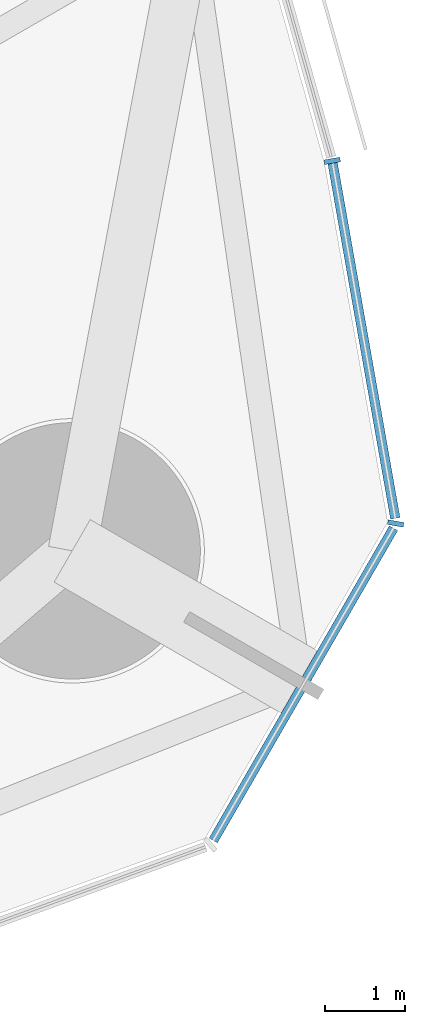
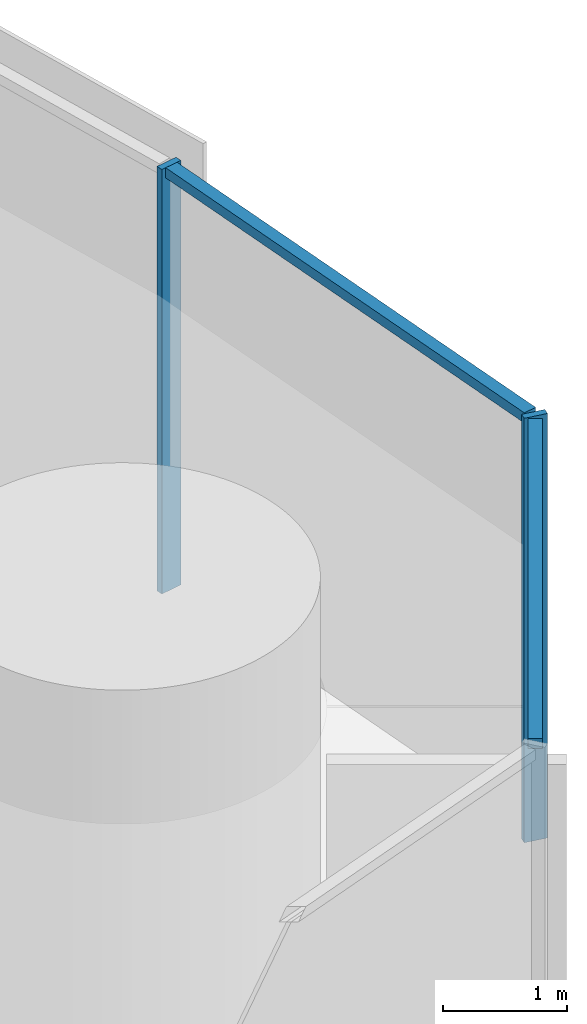
# One storey, part 9 of 19: 4 members, 1 element without a shape of its own.
"""IFC4 building model written with IfcOpenShell, lengths in metres."""

import ifcopenshell
import ifcopenshell.guid

model = None  # the IFC model being written
_history = None  # IfcOwnerHistory: only IFC2X3 demands one
_inside = {}  # id of a spatial element -> (the spatial element, [elements in it])
_under = {}  # id of a project, library or spatial element -> (it, [spatial elements below it])
_declared = {}  # id of a project -> (the project, [libraries it declares])
_typed = {}  # id of a type object -> (the type object, [elements of that type])
_made_of = {}  # id of a material, layer set ... -> (it, [elements and type objects made of it])


def new_model(schema):
    """Start an empty IFC model of exactly this schema.

    Asked for "IFC4X3", IfcOpenShell would pick the latest addendum, in which some entities
    have other attributes; the version numbers below select the first issue.
    IFC2X3 requires an IfcOwnerHistory on every rooted entity: one is made here for all.
    """
    global model, _history
    if schema == "IFC4X3":
        model = ifcopenshell.file(schema_version=(4, 3, 0, 0))
    else:
        model = ifcopenshell.file(schema=schema)
    _inside.clear()
    _under.clear()
    _declared.clear()
    _typed.clear()
    _made_of.clear()
    _history = None
    if model.schema == "IFC2X3":
        org = make("IfcOrganization", Name="unknown")
        user = make(
            "IfcPersonAndOrganization",
            ThePerson=make("IfcPerson", FamilyName="unknown"),
            TheOrganization=org,
        )
        app = make(
            "IfcApplication",
            ApplicationDeveloper=org,
            Version="unknown",
            ApplicationFullName="unknown",
            ApplicationIdentifier="unknown",
        )
        _history = make(
            "IfcOwnerHistory",
            OwningUser=user,
            OwningApplication=app,
            ChangeAction="ADDED",
            CreationDate=0,
        )
    return model


def make(cls, **values):
    """One entity of the class cls with the attributes given. An attribute that is None is left unset."""
    return model.create_entity(
        cls, **{name: value for name, value in values.items() if value is not None}
    )


def rooted(cls, **values):
    """An entity with a GlobalId (a new one), such as an element, a storey or a relation."""
    return make(cls, GlobalId=ifcopenshell.guid.new(), OwnerHistory=_history, **values)


def si_unit(unit_type, name, prefix=None):
    """IfcSIUnit, for example si_unit("LENGTHUNIT", "METRE", prefix="MILLI")."""
    return make("IfcSIUnit", UnitType=unit_type, Prefix=prefix, Name=name)


def assignment(units):
    """IfcUnitAssignment: the units of a project."""
    return None if units is None else make("IfcUnitAssignment", Units=units)


def point(xyz):
    """IfcCartesianPoint."""
    return None if xyz is None else make("IfcCartesianPoint", Coordinates=xyz)


def direction(xyz):
    """IfcDirection."""
    return None if xyz is None else make("IfcDirection", DirectionRatios=xyz)


def frame(location, z_axis=None, x_axis=None):
    """IfcAxis2Placement3D, a coordinate frame: its origin and axes. An axis left out is left unset."""
    return make(
        "IfcAxis2Placement3D",
        Location=point(location),
        Axis=direction(z_axis),
        RefDirection=direction(x_axis),
    )


def frame_2d(location, x_axis=None):
    """IfcAxis2Placement2D, a coordinate frame in the plane: its origin and x axis."""
    return make(
        "IfcAxis2Placement2D", Location=point(location), RefDirection=direction(x_axis)
    )


def origin():
    """The frame at (0, 0, 0) with its axes left unset."""
    return frame((0.0, 0.0, 0.0))


def origin_2d():
    """The frame at (0, 0) in the plane with its x axis left unset."""
    return frame_2d((0.0, 0.0))


def place(relative_to, where):
    """IfcLocalPlacement: puts the frame where relative to a parent placement (None: the world)."""
    return make(
        "IfcLocalPlacement", PlacementRelTo=relative_to, RelativePlacement=where
    )


def context(
    kind, dimensions, precision=None, world=None, true_north=None, identifier=None
):
    """IfcGeometricRepresentationContext, for example the 3D "Model" context."""
    return make(
        "IfcGeometricRepresentationContext",
        ContextIdentifier=identifier,
        ContextType=kind,
        CoordinateSpaceDimension=dimensions,
        Precision=precision,
        WorldCoordinateSystem=world,
        TrueNorth=true_north,
    )


def subcontext(parent, identifier, kind, view, scale=None):
    """IfcGeometricRepresentationSubContext, for example "Body" below "Model"."""
    return make(
        "IfcGeometricRepresentationSubContext",
        ContextIdentifier=identifier,
        ContextType=kind,
        ParentContext=parent,
        TargetScale=scale,
        TargetView=view,
    )


def project(units=None, contexts=None):
    """IfcProject with its units and contexts."""
    return rooted(
        "IfcProject",
        Name="project",
        RepresentationContexts=contexts,
        UnitsInContext=assignment(units),
    )


def spatial(cls, under=None, at=None, **own):
    """A site, building, storey or space (cls), placed at a placement, below another one or the project."""
    s = rooted(cls, ObjectPlacement=at, **own)
    if under is not None:
        _under.setdefault(under.id(), (under, []))[1].append(s)
    return s


def profile(cls, at=None, kind="AREA", **sizes):
    """A parametric profile (cls). Its sizes go by their IFC names, for example OverallWidth=200.0."""
    return make(cls, ProfileType=kind, Position=at, **sizes)


def rectangle(**sizes):
    """IfcRectangleProfileDef."""
    return profile("IfcRectangleProfileDef", **sizes)


def extrude(swept, where, along, depth):
    """IfcExtrudedAreaSolid: the profile swept, set in the frame where, extruded along a direction by depth."""
    return make(
        "IfcExtrudedAreaSolid",
        SweptArea=swept,
        Position=where,
        ExtrudedDirection=direction(along),
        Depth=depth,
    )


def shape(context_of_items, identifier, shape_type, items):
    """IfcShapeRepresentation: the items that make up one representation, for example the "Body"."""
    return make(
        "IfcShapeRepresentation",
        ContextOfItems=context_of_items,
        RepresentationIdentifier=identifier,
        RepresentationType=shape_type,
        Items=items,
    )


def material(Name=None, Category=None):
    """IfcMaterial."""
    return make("IfcMaterial", Name=Name, Category=Category)


def material_profile(
    of_material, cross_section, Name=None, Category=None, Priority=None
):
    """IfcMaterialProfile: a cross section and its material."""
    return make(
        "IfcMaterialProfile",
        Name=Name,
        Material=of_material,
        Profile=cross_section,
        Priority=Priority,
        Category=Category,
    )


def profile_set(profiles, Name=None, composite=None):
    """IfcMaterialProfileSet."""
    return make(
        "IfcMaterialProfileSet",
        Name=Name,
        MaterialProfiles=profiles,
        CompositeProfile=composite,
    )


def made_of(thing, what):
    """Note that an element or type object is made of a material, layer set ...; save() writes the relation."""
    if what is not None:
        _made_of.setdefault(what.id(), (what, []))[1].append(thing)
    return thing


def type_object(cls, material=None, **own):
    """A type object (cls), such as IfcWallType, which elements share."""
    return made_of(rooted(cls, **own), material)


def element(
    cls,
    number,
    at=None,
    inside=None,
    cuts=None,
    type_object=None,
    material=None,
    context=None,
    identifier="Body",
    shape_type=None,
    held_by="IfcProductDefinitionShape",
    body=None,
    shapes=None,
    **own,
):
    """One element of the class cls, such as IfcWall. Its Tag is "e" and its number.

    at: its placement. inside: the storey or other place that contains it. cuts: it is an
    opening in that element (IfcRelVoidsElement). A single representation is given by context,
    identifier, shape_type and body (its items); several are given by shapes. held_by: the class
    of the entity that holds the representations. save() writes the other relations.
    """
    e = rooted(cls, Tag="e%d" % number, ObjectPlacement=at, **own)
    if body is not None:
        shapes = [shape(context, identifier, shape_type, body)]
    if shapes is not None:
        e.Representation = make(held_by, Representations=shapes)
    if inside is not None:
        _inside.setdefault(inside.id(), (inside, []))[1].append(e)
    if cuts is not None:
        rooted(
            "IfcRelVoidsElement", RelatingBuildingElement=cuts, RelatedOpeningElement=e
        )
    if type_object is not None:
        _typed.setdefault(type_object.id(), (type_object, []))[1].append(e)
    return made_of(e, material)


def aggregate(whole, parts):
    """IfcRelAggregates: a whole, such as a stair, and the parts it consists of."""
    return rooted("IfcRelAggregates", RelatingObject=whole, RelatedObjects=parts)


def save(model, path):
    """Write the relations noted so far, then the file.

    IfcRelAggregates (storeys below a building ...), IfcRelContainedInSpatialStructure (elements
    in a storey), IfcRelDefinesByType, IfcRelAssociatesMaterial and IfcRelDeclares: one each for
    every whole, place, type object, material and project.
    """
    for whole, parts in _under.values():
        aggregate(whole, parts)
    for where, things in _inside.values():
        rooted(
            "IfcRelContainedInSpatialStructure",
            RelatedElements=things,
            RelatingStructure=where,
        )
    for kind, things in _typed.values():
        rooted("IfcRelDefinesByType", RelatedObjects=things, RelatingType=kind)
    for what, things in _made_of.values():
        rooted("IfcRelAssociatesMaterial", RelatedObjects=things, RelatingMaterial=what)
    for by, libraries in _declared.values():
        rooted("IfcRelDeclares", RelatingContext=by, RelatedDefinitions=libraries)
    model.write(path)


model = new_model("IFC4")

# Units and contexts
model_context = context("Model", 3, precision=1e-05, world=origin(), true_north=direction((0.0, 1.0)))
body_context = subcontext(model_context, "Body", "Model", "MODEL_VIEW")
ifc_project = project(units=[si_unit("LENGTHUNIT", "METRE"), si_unit("AREAUNIT", "SQUARE_METRE"), si_unit("VOLUMEUNIT", "CUBIC_METRE"), si_unit("PLANEANGLEUNIT", "RADIAN"), si_unit("MASSUNIT", "GRAM", prefix="KILO")], contexts=[model_context])

# Site, building, storey
site_placement = place(None, origin())
site = spatial("IfcSite", under=ifc_project, at=site_placement, CompositionType="ELEMENT")
building_placement = place(site_placement, origin())
building = spatial("IfcBuilding", under=site, at=building_placement, Name="Trefoil Bronze Tower", CompositionType="ELEMENT")
storey_placement = place(building_placement, frame((0.0, 0.0, 235.89990234375)))
storey = spatial("IfcBuildingStorey", under=building, at=storey_placement, Name="L54", CompositionType="ELEMENT", Elevation=235.89990234375)

# Curtain wall, members
ifc_material_1 = material(Name="Tinted solar-control glass", Category="glass")
curtain_wall_type = type_object("IfcCurtainWallType", Name="Bronze rounded corner curtain wall", PredefinedType="USERDEFINED", material=ifc_material_1)
curtain_wall_placement = place(storey_placement, origin())
curtain_wall = element("IfcCurtainWall", 1, at=curtain_wall_placement, inside=storey, type_object=curtain_wall_type, Name="CW-B L54 K1", ObjectType="CURTAIN WALL", PredefinedType="USERDEFINED")
ifc_material_2 = material(Name="Bronze-finish aluminium", Category="aluminium")
ifc_material_profile_1 = material_profile(ifc_material_2, rectangle(XDim=0.199951171875, YDim=0.06005859375, at=origin_2d()), Name="CW-B mullion")
ifc_profile_set_1 = profile_set([ifc_material_profile_1], Name="Bronze-finish aluminium")
member_type_1 = type_object("IfcMemberType", Name="Bronze rounded corner curtain wall mullion", PredefinedType="MULLION", material=ifc_profile_set_1)
member_1_placement = place(storey_placement, frame((32.616943359375, -16.158935546875, 0.0), z_axis=(0.0, 0.0, 1.0), x_axis=(-0.984807753012, 0.173648177667, 0.0)))
member_1 = element("IfcMember", 2, at=member_1_placement, type_object=member_type_1, Name="CW-B L54 K1 mullion 3", PredefinedType="MULLION", context=body_context, shape_type="SweptSolid", body=[
    extrude(rectangle(XDim=0.199951171875, YDim=0.06005859375, at=origin_2d()), origin(), (0.0, 0.0, 1.0), 4.18017578125),
])
member_2_placement = place(storey_placement, frame((31.824951171875, -11.63330078125, 0.0), z_axis=(0.0, 0.0, 1.0), x_axis=(-0.984807753012, -0.173648177667, 0.0)))
member_2 = element("IfcMember", 3, at=member_2_placement, type_object=member_type_1, Name="CW-B L54 K1 mullion 4", PredefinedType="MULLION", context=body_context, shape_type="SweptSolid", body=[
    extrude(rectangle(XDim=0.199951171875, YDim=0.06005859375, at=origin_2d()), origin(), (0.0, 0.0, 1.0), 4.18017578125),
])
ifc_material_3 = material(Name="Bronze-finish aluminium", Category="aluminium")
ifc_material_profile_2 = material_profile(ifc_material_3, rectangle(XDim=0.1201171875, YDim=0.10009765625, at=origin_2d()), Name="CW-B transom")
ifc_profile_set_2 = profile_set([ifc_material_profile_2], Name="Bronze-finish aluminium")
member_type_2 = type_object("IfcMemberType", Name="Bronze rounded corner curtain wall transom", PredefinedType="USERDEFINED", material=ifc_profile_set_2)
member_3_placement = place(storey_placement, frame((30.33984375, -20.114990234375, 4.130126953125), z_axis=(0.500007335828, 0.866021168401, 0.0), x_axis=(-0.866021168401, 0.500007335828, 0.0)))
member_3 = element("IfcMember", 4, at=member_3_placement, type_object=member_type_2, Name="CW-B L54 K1 transom 2", ObjectType="TRANSOM", PredefinedType="USERDEFINED", context=body_context, shape_type="SweptSolid", body=[
    extrude(rectangle(XDim=0.1201171875, YDim=0.10009765625, at=origin_2d()), origin(), (0.0, 0.0, 1.0), 4.50048828125),
])
member_4_placement = place(storey_placement, frame((32.611572265625, -16.0947265625, 4.130126953125), z_axis=(-0.173655350028, 0.984806488304, 0.0), x_axis=(-0.984806488304, -0.173655350028, 0.0)))
member_4 = element("IfcMember", 5, at=member_4_placement, type_object=member_type_2, Name="CW-B L54 K1 transom 3", ObjectType="TRANSOM", PredefinedType="USERDEFINED", context=body_context, shape_type="SweptSolid", body=[
    extrude(rectangle(XDim=0.1201171875, YDim=0.10009765625, at=origin_2d()), origin(), (0.0, 0.0, 1.0), 4.500244140625),
])
aggregate(curtain_wall, [member_1, member_2, member_3, member_4])

save(model, "model.ifc")
